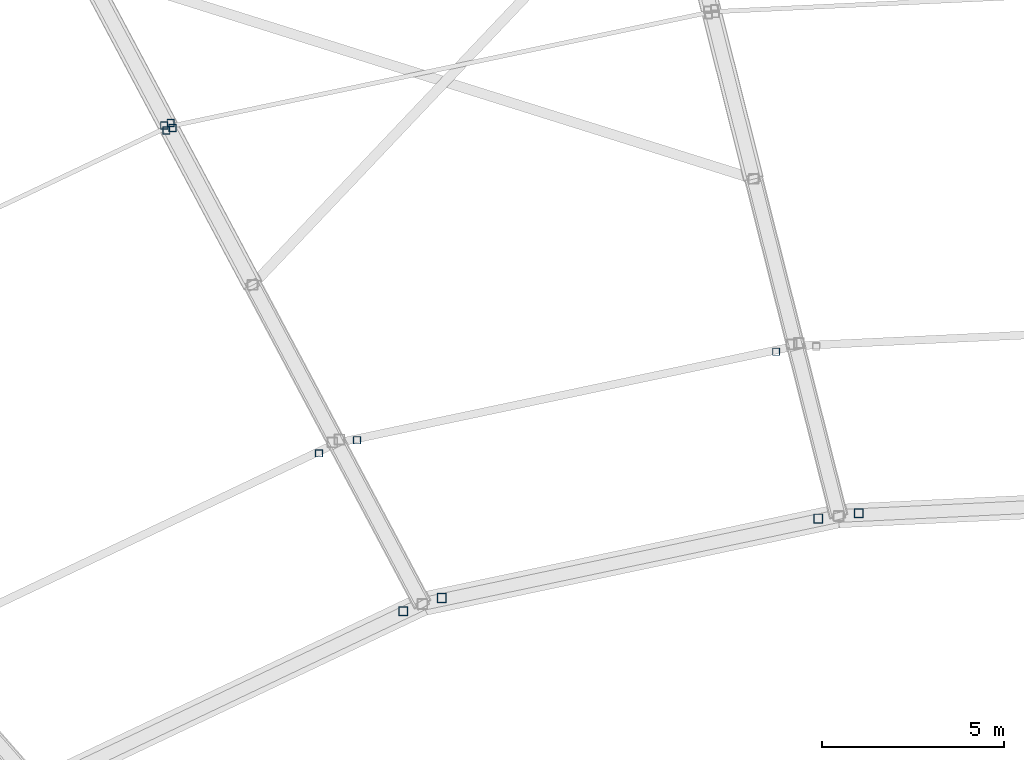
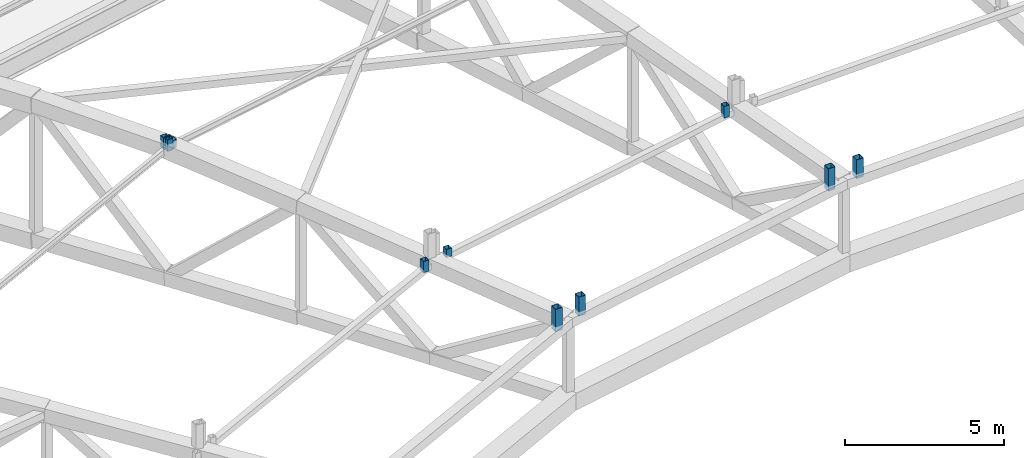
# One storey, part 128 of 162: 11 members.
"""IFC4 building model written with IfcOpenShell, lengths in metres."""

from ifc_helpers import new_model, si_unit, direction, frame, origin, origin_2d, place, context, subcontext, project, spatial, hollow_rectangle, extrude, material, material_profile, profile_set, type_object, element, save


model = new_model("IFC4")

# Units and contexts
model_context = context("Model", 3, precision=1e-05, world=origin(), true_north=direction((0.0, 1.0)))
body_context = subcontext(model_context, "Body", "Model", "MODEL_VIEW")
ifc_project = project(units=[si_unit("LENGTHUNIT", "METRE"), si_unit("AREAUNIT", "SQUARE_METRE"), si_unit("VOLUMEUNIT", "CUBIC_METRE"), si_unit("PLANEANGLEUNIT", "RADIAN"), si_unit("MASSUNIT", "GRAM", prefix="KILO")], contexts=[model_context])

# Site, building, storey
site_placement = place(None, origin())
site = spatial("IfcSite", under=ifc_project, at=site_placement, CompositionType="ELEMENT")
building_placement = place(site_placement, origin())
building = spatial("IfcBuilding", under=site, at=building_placement, Name="Kazemori Nagisa Stadium", CompositionType="ELEMENT")
storey_placement = place(building_placement, frame((0.0, 0.0, 36.719970703125)))
storey = spatial("IfcBuildingStorey", under=building, at=storey_placement, Name="RF", CompositionType="ELEMENT", Elevation=36.719970703125)

# Members
ifc_material = material(Name="Steel STKR490", Category="steel")
ifc_material_profile_1 = material_profile(ifc_material, hollow_rectangle(XDim=0.25, YDim=0.25, WallThickness=0.011962890625, at=origin_2d()), Name="SHS-250x250x12")
ifc_profile_set_1 = profile_set([ifc_material_profile_1], Name="Steel STKR490")
member_type_1 = type_object("IfcMemberType", Name="Member_ST-SHS250", PredefinedType="STUD", material=ifc_profile_set_1)
member_1_placement = place(storey_placement, frame((112.092041015625, 147.544677734375, 5.114013671875), z_axis=(0.0, 0.0, 1.0), x_axis=(1.0, 0.0, 0.0)))
element("IfcMember", 1, at=member_1_placement, inside=storey, type_object=member_type_1, Name="Oculus skylight bearing stool B08-2", PredefinedType="STUD", context=body_context, shape_type="SweptSolid", body=[
    extrude(hollow_rectangle(XDim=0.25, YDim=0.25, WallThickness=0.011962890625, at=origin_2d()), origin(), (0.0, 0.0, 1.0), 0.72607421875),
])
member_2_placement = place(storey_placement, frame((110.97802734375, 147.39697265625, 5.114013671875), z_axis=(0.0, 0.0, 1.0), x_axis=(1.0, 0.0, 0.0)))
element("IfcMember", 2, at=member_2_placement, inside=storey, type_object=member_type_1, Name="Oculus skylight bearing stool B09-1", PredefinedType="STUD", context=body_context, shape_type="SweptSolid", body=[
    extrude(hollow_rectangle(XDim=0.25, YDim=0.25, WallThickness=0.011962890625, at=origin_2d()), origin(), (0.0, 0.0, 1.0), 0.863037109375),
])
member_3_placement = place(storey_placement, frame((100.634765625, 145.21484375, 5.239990234375), z_axis=(0.0, 0.0, 1.0), x_axis=(1.0, 0.0, 0.0)))
element("IfcMember", 3, at=member_3_placement, inside=storey, type_object=member_type_1, Name="Oculus skylight bearing stool B09-2", PredefinedType="STUD", context=body_context, shape_type="SweptSolid", body=[
    extrude(hollow_rectangle(XDim=0.25, YDim=0.25, WallThickness=0.011962890625, at=origin_2d()), origin(), (0.0, 0.0, 1.0), 0.737060546875),
])
member_4_placement = place(storey_placement, frame((99.572998046875, 144.850830078125, 5.239990234375), z_axis=(0.0, 0.0, 1.0), x_axis=(1.0, 0.0, 0.0)))
element("IfcMember", 4, at=member_4_placement, inside=storey, type_object=member_type_1, Name="Oculus skylight bearing stool B10-1", PredefinedType="STUD", context=body_context, shape_type="SweptSolid", body=[
    extrude(hollow_rectangle(XDim=0.25, YDim=0.25, WallThickness=0.011962890625, at=origin_2d()), origin(), (0.0, 0.0, 1.0), 0.860107421875),
])
ifc_material_profile_2 = material_profile(ifc_material, hollow_rectangle(XDim=0.199951171875, YDim=0.199951171875, WallThickness=0.009033203125, at=origin_2d()), Name="SHS-200x200x9")
ifc_profile_set_2 = profile_set([ifc_material_profile_2], Name="Steel STKR490")
member_type_2 = type_object("IfcMemberType", Name="Member_TS-SHS200", PredefinedType="STRUT", material=ifc_profile_set_2)
for number, where, z_axis, x_axis, name in (
    (5, (93.18310546875, 158.267578125, 6.419921875), (0.0, 0.0, 1.0), (1.0, 0.0, 0.0), "Canopy bearing stool B09-mid-3"),
    (6, (93.23681640625, 158.128173828125, 6.419921875), (0.0, 0.0, 1.0), (1.0, 0.0, 0.0), "Canopy bearing stool B09-inner-2"),
):
    element("IfcMember", number, at=place(storey_placement, frame(where, z_axis=z_axis, x_axis=x_axis)), inside=storey, type_object=member_type_2, Name=name, PredefinedType="STRUT", context=body_context, shape_type="SweptSolid", body=[
        extrude(hollow_rectangle(XDim=0.199951171875, YDim=0.199951171875, WallThickness=0.009033203125, at=origin_2d()), origin(), (0.0, 0.0, 1.0), 0.315185546875),
    ])
member_5_placement = place(storey_placement, frame((98.30419921875, 149.548828125, 5.662109375), z_axis=(0.0, 0.0, 1.0), x_axis=(1.0, 0.0, 0.0)))
element("IfcMember", 7, at=member_5_placement, inside=storey, type_object=member_type_2, Name="Oculus skylight bearing stool B09-3", PredefinedType="STRUT", context=body_context, shape_type="SweptSolid", body=[
    extrude(hollow_rectangle(XDim=0.199951171875, YDim=0.199951171875, WallThickness=0.009033203125, at=origin_2d()), origin(), (0.0, 0.0, 1.0), 0.31494140625),
])
member_6_placement = place(storey_placement, frame((109.8193359375, 151.97998046875, 5.525146484375), z_axis=(0.0, 0.0, 1.0), x_axis=(1.0, 0.0, 0.0)))
element("IfcMember", 8, at=member_6_placement, inside=storey, type_object=member_type_2, Name="Oculus skylight bearing stool B09-4", PredefinedType="STRUT", context=body_context, shape_type="SweptSolid", body=[
    extrude(hollow_rectangle(XDim=0.199951171875, YDim=0.199951171875, WallThickness=0.009033203125, at=origin_2d()), origin(), (0.0, 0.0, 1.0), 0.451904296875),
])
for number, where, z_axis, x_axis, name in (
    (9, (93.006103515625, 158.19384765625, 6.419921875), (0.0, 0.0, 1.0), (1.0, 0.0, 0.0), "Canopy bearing stool B10-mid-4"),
    (10, (93.064453125, 158.058837890625, 6.419921875), (0.0, 0.0, 1.0), (1.0, 0.0, 0.0), "Canopy bearing stool B10-inner-1"),
):
    element("IfcMember", number, at=place(storey_placement, frame(where, z_axis=z_axis, x_axis=x_axis)), inside=storey, type_object=member_type_2, Name=name, PredefinedType="STRUT", context=body_context, shape_type="SweptSolid", body=[
        extrude(hollow_rectangle(XDim=0.199951171875, YDim=0.199951171875, WallThickness=0.009033203125, at=origin_2d()), origin(), (0.0, 0.0, 1.0), 0.4521484375),
    ])
member_7_placement = place(storey_placement, frame((97.2607421875, 149.189453125, 5.662109375), z_axis=(0.0, 0.0, 1.0), x_axis=(1.0, 0.0, 0.0)))
element("IfcMember", 11, at=member_7_placement, inside=storey, type_object=member_type_2, Name="Oculus skylight bearing stool B10-4", PredefinedType="STRUT", context=body_context, shape_type="SweptSolid", body=[
    extrude(hollow_rectangle(XDim=0.199951171875, YDim=0.199951171875, WallThickness=0.009033203125, at=origin_2d()), origin(), (0.0, 0.0, 1.0), 0.43798828125),
])

save(model, "model.ifc")
